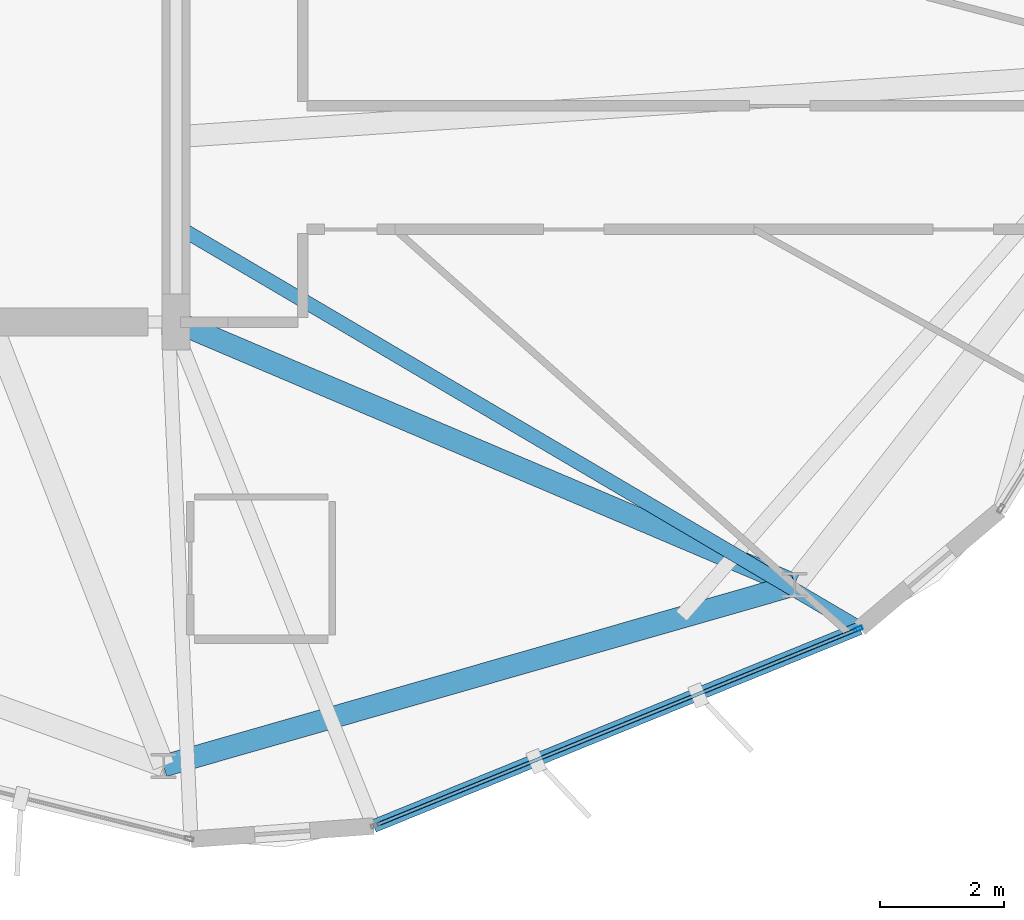
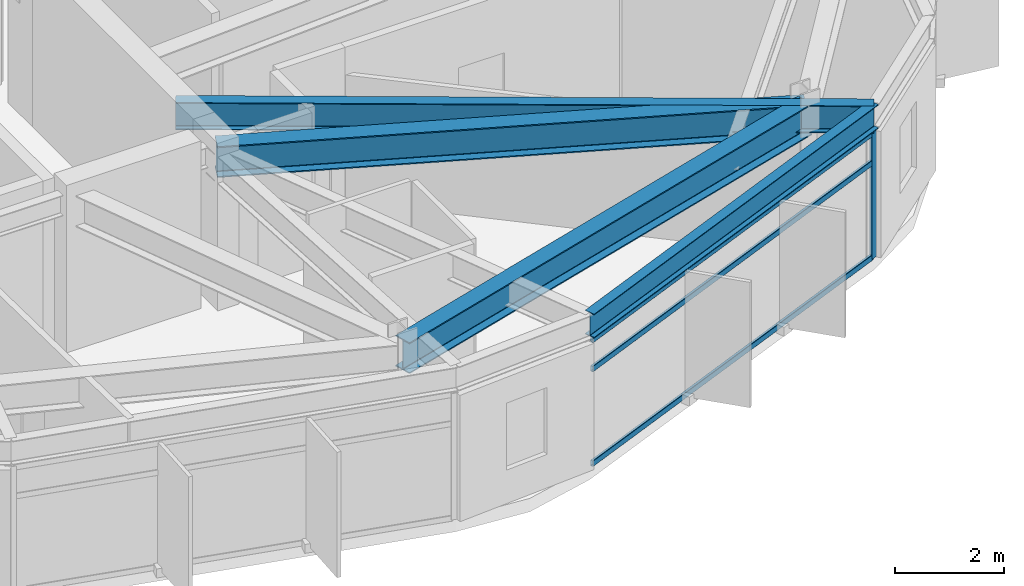
# One storey, part 6 of 26: 4 beams, 4 members, 1 element without a shape of its own.
"""IFC4 building model written with IfcOpenShell, lengths in metres."""

import ifcopenshell
import ifcopenshell.guid

model = None  # the IFC model being written
_history = None  # IfcOwnerHistory: only IFC2X3 demands one
_inside = {}  # id of a spatial element -> (the spatial element, [elements in it])
_under = {}  # id of a project, library or spatial element -> (it, [spatial elements below it])
_declared = {}  # id of a project -> (the project, [libraries it declares])
_typed = {}  # id of a type object -> (the type object, [elements of that type])
_made_of = {}  # id of a material, layer set ... -> (it, [elements and type objects made of it])


def new_model(schema):
    """Start an empty IFC model of exactly this schema.

    Asked for "IFC4X3", IfcOpenShell would pick the latest addendum, in which some entities
    have other attributes; the version numbers below select the first issue.
    IFC2X3 requires an IfcOwnerHistory on every rooted entity: one is made here for all.
    """
    global model, _history
    if schema == "IFC4X3":
        model = ifcopenshell.file(schema_version=(4, 3, 0, 0))
    else:
        model = ifcopenshell.file(schema=schema)
    _inside.clear()
    _under.clear()
    _declared.clear()
    _typed.clear()
    _made_of.clear()
    _history = None
    if model.schema == "IFC2X3":
        org = make("IfcOrganization", Name="unknown")
        user = make(
            "IfcPersonAndOrganization",
            ThePerson=make("IfcPerson", FamilyName="unknown"),
            TheOrganization=org,
        )
        app = make(
            "IfcApplication",
            ApplicationDeveloper=org,
            Version="unknown",
            ApplicationFullName="unknown",
            ApplicationIdentifier="unknown",
        )
        _history = make(
            "IfcOwnerHistory",
            OwningUser=user,
            OwningApplication=app,
            ChangeAction="ADDED",
            CreationDate=0,
        )
    return model


def make(cls, **values):
    """One entity of the class cls with the attributes given. An attribute that is None is left unset."""
    return model.create_entity(
        cls, **{name: value for name, value in values.items() if value is not None}
    )


def rooted(cls, **values):
    """An entity with a GlobalId (a new one), such as an element, a storey or a relation."""
    return make(cls, GlobalId=ifcopenshell.guid.new(), OwnerHistory=_history, **values)


def si_unit(unit_type, name, prefix=None):
    """IfcSIUnit, for example si_unit("LENGTHUNIT", "METRE", prefix="MILLI")."""
    return make("IfcSIUnit", UnitType=unit_type, Prefix=prefix, Name=name)


def assignment(units):
    """IfcUnitAssignment: the units of a project."""
    return None if units is None else make("IfcUnitAssignment", Units=units)


def point(xyz):
    """IfcCartesianPoint."""
    return None if xyz is None else make("IfcCartesianPoint", Coordinates=xyz)


def direction(xyz):
    """IfcDirection."""
    return None if xyz is None else make("IfcDirection", DirectionRatios=xyz)


def frame(location, z_axis=None, x_axis=None):
    """IfcAxis2Placement3D, a coordinate frame: its origin and axes. An axis left out is left unset."""
    return make(
        "IfcAxis2Placement3D",
        Location=point(location),
        Axis=direction(z_axis),
        RefDirection=direction(x_axis),
    )


def frame_2d(location, x_axis=None):
    """IfcAxis2Placement2D, a coordinate frame in the plane: its origin and x axis."""
    return make(
        "IfcAxis2Placement2D", Location=point(location), RefDirection=direction(x_axis)
    )


def origin():
    """The frame at (0, 0, 0) with its axes left unset."""
    return frame((0.0, 0.0, 0.0))


def origin_2d():
    """The frame at (0, 0) in the plane with its x axis left unset."""
    return frame_2d((0.0, 0.0))


def place(relative_to, where):
    """IfcLocalPlacement: puts the frame where relative to a parent placement (None: the world)."""
    return make(
        "IfcLocalPlacement", PlacementRelTo=relative_to, RelativePlacement=where
    )


def context(
    kind, dimensions, precision=None, world=None, true_north=None, identifier=None
):
    """IfcGeometricRepresentationContext, for example the 3D "Model" context."""
    return make(
        "IfcGeometricRepresentationContext",
        ContextIdentifier=identifier,
        ContextType=kind,
        CoordinateSpaceDimension=dimensions,
        Precision=precision,
        WorldCoordinateSystem=world,
        TrueNorth=true_north,
    )


def subcontext(parent, identifier, kind, view, scale=None):
    """IfcGeometricRepresentationSubContext, for example "Body" below "Model"."""
    return make(
        "IfcGeometricRepresentationSubContext",
        ContextIdentifier=identifier,
        ContextType=kind,
        ParentContext=parent,
        TargetScale=scale,
        TargetView=view,
    )


def project(units=None, contexts=None):
    """IfcProject with its units and contexts."""
    return rooted(
        "IfcProject",
        Name="project",
        RepresentationContexts=contexts,
        UnitsInContext=assignment(units),
    )


def spatial(cls, under=None, at=None, **own):
    """A site, building, storey or space (cls), placed at a placement, below another one or the project."""
    s = rooted(cls, ObjectPlacement=at, **own)
    if under is not None:
        _under.setdefault(under.id(), (under, []))[1].append(s)
    return s


def profile(cls, at=None, kind="AREA", **sizes):
    """A parametric profile (cls). Its sizes go by their IFC names, for example OverallWidth=200.0."""
    return make(cls, ProfileType=kind, Position=at, **sizes)


def hollow_rectangle(**sizes):
    """IfcRectangleHollowProfileDef."""
    return profile("IfcRectangleHollowProfileDef", **sizes)


def i_section(**sizes):
    """IfcIShapeProfileDef."""
    return profile("IfcIShapeProfileDef", **sizes)


def extrude(swept, where, along, depth):
    """IfcExtrudedAreaSolid: the profile swept, set in the frame where, extruded along a direction by depth."""
    return make(
        "IfcExtrudedAreaSolid",
        SweptArea=swept,
        Position=where,
        ExtrudedDirection=direction(along),
        Depth=depth,
    )


def shape(context_of_items, identifier, shape_type, items):
    """IfcShapeRepresentation: the items that make up one representation, for example the "Body"."""
    return make(
        "IfcShapeRepresentation",
        ContextOfItems=context_of_items,
        RepresentationIdentifier=identifier,
        RepresentationType=shape_type,
        Items=items,
    )


def material(Name=None, Category=None):
    """IfcMaterial."""
    return make("IfcMaterial", Name=Name, Category=Category)


def layer(
    of_material, thickness, ventilated=None, Name=None, Category=None, Priority=None
):
    """IfcMaterialLayer: one layer of a wall or slab, of a material (None: an air gap)."""
    return make(
        "IfcMaterialLayer",
        Material=of_material,
        LayerThickness=thickness,
        IsVentilated=ventilated,
        Name=Name,
        Category=Category,
        Priority=Priority,
    )


def layer_set(layers, Name=None):
    """IfcMaterialLayerSet."""
    return make("IfcMaterialLayerSet", MaterialLayers=layers, LayerSetName=Name)


def material_profile(
    of_material, cross_section, Name=None, Category=None, Priority=None
):
    """IfcMaterialProfile: a cross section and its material."""
    return make(
        "IfcMaterialProfile",
        Name=Name,
        Material=of_material,
        Profile=cross_section,
        Priority=Priority,
        Category=Category,
    )


def profile_set(profiles, Name=None, composite=None):
    """IfcMaterialProfileSet."""
    return make(
        "IfcMaterialProfileSet",
        Name=Name,
        MaterialProfiles=profiles,
        CompositeProfile=composite,
    )


def made_of(thing, what):
    """Note that an element or type object is made of a material, layer set ...; save() writes the relation."""
    if what is not None:
        _made_of.setdefault(what.id(), (what, []))[1].append(thing)
    return thing


def type_object(cls, material=None, **own):
    """A type object (cls), such as IfcWallType, which elements share."""
    return made_of(rooted(cls, **own), material)


def element(
    cls,
    number,
    at=None,
    inside=None,
    cuts=None,
    type_object=None,
    material=None,
    context=None,
    identifier="Body",
    shape_type=None,
    held_by="IfcProductDefinitionShape",
    body=None,
    shapes=None,
    **own,
):
    """One element of the class cls, such as IfcWall. Its Tag is "e" and its number.

    at: its placement. inside: the storey or other place that contains it. cuts: it is an
    opening in that element (IfcRelVoidsElement). A single representation is given by context,
    identifier, shape_type and body (its items); several are given by shapes. held_by: the class
    of the entity that holds the representations. save() writes the other relations.
    """
    e = rooted(cls, Tag="e%d" % number, ObjectPlacement=at, **own)
    if body is not None:
        shapes = [shape(context, identifier, shape_type, body)]
    if shapes is not None:
        e.Representation = make(held_by, Representations=shapes)
    if inside is not None:
        _inside.setdefault(inside.id(), (inside, []))[1].append(e)
    if cuts is not None:
        rooted(
            "IfcRelVoidsElement", RelatingBuildingElement=cuts, RelatedOpeningElement=e
        )
    if type_object is not None:
        _typed.setdefault(type_object.id(), (type_object, []))[1].append(e)
    return made_of(e, material)


def aggregate(whole, parts):
    """IfcRelAggregates: a whole, such as a stair, and the parts it consists of."""
    return rooted("IfcRelAggregates", RelatingObject=whole, RelatedObjects=parts)


def save(model, path):
    """Write the relations noted so far, then the file.

    IfcRelAggregates (storeys below a building ...), IfcRelContainedInSpatialStructure (elements
    in a storey), IfcRelDefinesByType, IfcRelAssociatesMaterial and IfcRelDeclares: one each for
    every whole, place, type object, material and project.
    """
    for whole, parts in _under.values():
        aggregate(whole, parts)
    for where, things in _inside.values():
        rooted(
            "IfcRelContainedInSpatialStructure",
            RelatedElements=things,
            RelatingStructure=where,
        )
    for kind, things in _typed.values():
        rooted("IfcRelDefinesByType", RelatedObjects=things, RelatingType=kind)
    for what, things in _made_of.values():
        rooted("IfcRelAssociatesMaterial", RelatedObjects=things, RelatingMaterial=what)
    for by, libraries in _declared.values():
        rooted("IfcRelDeclares", RelatingContext=by, RelatedDefinitions=libraries)
    model.write(path)


model = new_model("IFC4")

# Units and contexts
model_context = context("Model", 3, precision=1e-05, world=origin(), true_north=direction((0.0, 1.0)))
body_context = subcontext(model_context, "Body", "Model", "MODEL_VIEW")
ifc_project = project(units=[si_unit("LENGTHUNIT", "METRE"), si_unit("AREAUNIT", "SQUARE_METRE"), si_unit("VOLUMEUNIT", "CUBIC_METRE"), si_unit("PLANEANGLEUNIT", "RADIAN"), si_unit("MASSUNIT", "GRAM", prefix="KILO")], contexts=[model_context])

# Site, building, storey
site_placement = place(None, origin())
site = spatial("IfcSite", under=ifc_project, at=site_placement, CompositionType="ELEMENT")
building_placement = place(site_placement, origin())
building = spatial("IfcBuilding", under=site, at=building_placement, Name="Soratama Intermodal Tower", CompositionType="ELEMENT")
storey_placement = place(building_placement, frame((0.0, 0.0, 246.25)))
storey = spatial("IfcBuildingStorey", under=building, at=storey_placement, Name="L62", CompositionType="ELEMENT", Elevation=246.25)

# Beams
ifc_material_1 = material(Name="Structural steel ASTM A992 Grade 50", Category="steel")
ifc_material_profile_1 = material_profile(ifc_material_1, i_section(OverallWidth=0.35498046875, OverallDepth=0.695068359375, WebThickness=0.015380859375, FlangeThickness=0.02490234375, FilletRadius=0.01611328125, at=origin_2d()), Name="W27X146")
ifc_profile_set_1 = profile_set([ifc_material_profile_1], Name="Structural steel ASTM A992 Grade 50")
beam_type_1 = type_object("IfcBeamType", Name="BM-RING-W27X146", PredefinedType="BEAM", material=ifc_profile_set_1)
beam_1_placement = place(storey_placement, frame((44.39990234375, 7.81103515625, 3.1025390625), z_axis=(0.961262636932, 0.27563407416, 0.0), x_axis=(-0.27563407416, 0.961262636932, 0.0)))
element("IfcBeam", 1, at=beam_1_placement, inside=storey, type_object=beam_type_1, Name="BM-L62-RING-08", PredefinedType="BEAM", context=body_context, shape_type="SweptSolid", body=[
    extrude(i_section(OverallWidth=0.35498046875, OverallDepth=0.695068359375, WebThickness=0.015380859375, FlangeThickness=0.02490234375, FilletRadius=0.01611328125, at=origin_2d()), origin(), (0.0, 0.0, 1.0), 10.6298828125),
])
beam_2_placement = place(storey_placement, frame((44.60009765625, 15.0, 3.1025390625), z_axis=(0.920282671955, -0.391254142087, 0.0), x_axis=(0.391254142087, 0.920282671955, 0.0)))
element("IfcBeam", 2, at=beam_2_placement, inside=storey, type_object=beam_type_1, Name="BM-L62-RAD-09", PredefinedType="BEAM", context=body_context, shape_type="SweptSolid", body=[
    extrude(i_section(OverallWidth=0.35498046875, OverallDepth=0.695068359375, WebThickness=0.015380859375, FlangeThickness=0.02490234375, FilletRadius=0.01611328125, at=origin_2d()), origin(), (0.0, 0.0, 1.0), 10.885498046875),
])
ifc_material_2 = material(Name="Structural steel ASTM A992 Grade 50", Category="steel")
ifc_material_profile_2 = material_profile(ifc_material_2, i_section(OverallWidth=0.2099609375, OverallDepth=0.537109375, WebThickness=0.010986328125, FlangeThickness=0.017333984375, FilletRadius=0.012939453125, at=origin_2d()), Name="W21X68")
ifc_profile_set_2 = profile_set([ifc_material_profile_2], Name="Structural steel ASTM A992 Grade 50")
beam_type_2 = type_object("IfcBeamType", Name="BM-SPN-W21X68", PredefinedType="SPANDREL", material=ifc_profile_set_2)
beam_3_placement = place(storey_placement, frame((47.802001953125, 6.8369140625, 3.181396484375), z_axis=(0.926273649739, 0.37685159652, 0.0), x_axis=(-0.37685159652, 0.926273649739, 0.0)))
element("IfcBeam", 3, at=beam_3_placement, inside=storey, type_object=beam_type_2, Name="BS-L62-F07", PredefinedType="SPANDREL", context=body_context, shape_type="SweptSolid", body=[
    extrude(i_section(OverallWidth=0.2099609375, OverallDepth=0.537109375, WebThickness=0.010986328125, FlangeThickness=0.017333984375, FilletRadius=0.012939453125, at=origin_2d()), origin(), (0.0, 0.0, 1.0), 8.499755859375),
])
ifc_material_3 = material(Name="Structural steel ASTM A992 Grade 50", Category="steel")
ifc_material_profile_3 = material_profile(ifc_material_3, i_section(OverallWidth=0.22900390625, OverallDepth=0.612060546875, WebThickness=0.011962890625, FlangeThickness=0.01953125, FilletRadius=0.012939453125, at=origin_2d()), Name="W24X84")
ifc_profile_set_3 = profile_set([ifc_material_profile_3], Name="Structural steel ASTM A992 Grade 50")
beam_type_3 = type_object("IfcBeamType", Name="BM-TIE-W24X84", PredefinedType="BEAM", material=ifc_profile_set_3)
beam_4_placement = place(storey_placement, frame((44.634033203125, 16.541015625, 3.14404296875), z_axis=(0.86172057158, -0.507383145676, 0.0), x_axis=(0.507383145676, 0.86172057158, 0.0)))
element("IfcBeam", 4, at=beam_4_placement, inside=storey, type_object=beam_type_3, Name="BM-L62-TIE1-07", PredefinedType="BEAM", context=body_context, shape_type="SweptSolid", body=[
    extrude(i_section(OverallWidth=0.22900390625, OverallDepth=0.612060546875, WebThickness=0.011962890625, FlangeThickness=0.01953125, FilletRadius=0.012939453125, at=origin_2d()), origin(), (0.0, 0.0, 1.0), 12.812744140625),
])

# Curtain wall, members
ifc_material_4 = material(Name="Double-glazed aluminium curtain wall", Category="aluminium")
ifc_layer = layer(ifc_material_4, 0.159912109375)
ifc_layer_set = layer_set([ifc_layer], Name="Double-glazed aluminium curtain wall")
curtain_wall_type = type_object("IfcCurtainWallType", Name="CW-SYS-5", PredefinedType="NOTDEFINED", material=ifc_layer_set)
curtain_wall_placement = place(storey_placement, origin())
curtain_wall = element("IfcCurtainWall", 5, at=curtain_wall_placement, inside=storey, type_object=curtain_wall_type, Name="L62 Faceted Curtain Wall F07", PredefinedType="NOTDEFINED")
ifc_material_5 = material(Name="Anodised aluminium AA 6063-T6", Category="aluminium")
ifc_material_profile_4 = material_profile(ifc_material_5, hollow_rectangle(XDim=0.06494140625, YDim=0.139892578125, WallThickness=0.0048828125, InnerFilletRadius=0.0048828125, OuterFilletRadius=0.010009765625, at=origin_2d()), Name="CWM140X65X5")
ifc_profile_set_4 = profile_set([ifc_material_profile_4], Name="Anodised aluminium AA 6063-T6")
member_type_1 = type_object("IfcMemberType", Name="MT-CWM-5", PredefinedType="MULLION", material=ifc_profile_set_4)
member_1_placement = place(storey_placement, frame((55.647216796875, 10.02880859375, 0.0), z_axis=(0.0, 0.0, 1.0), x_axis=(-0.376881280442, 0.926261572372, 0.0)))
member_1 = element("IfcMember", 6, at=member_1_placement, type_object=member_type_1, Name="CW-5 mullion 2", PredefinedType="MULLION", context=body_context, shape_type="SweptSolid", body=[
    extrude(hollow_rectangle(XDim=0.06494140625, YDim=0.139892578125, WallThickness=0.0048828125, InnerFilletRadius=0.0048828125, OuterFilletRadius=0.010009765625, at=origin_2d()), origin(), (0.0, 0.0, 1.0), 2.8291015625),
])
ifc_material_6 = material(Name="Anodised aluminium AA 6063-T6", Category="aluminium")
ifc_material_profile_5 = material_profile(ifc_material_6, hollow_rectangle(XDim=0.06005859375, YDim=0.1298828125, WallThickness=0.0048828125, InnerFilletRadius=0.0048828125, OuterFilletRadius=0.010009765625, at=origin_2d()), Name="CWT130X60X5")
ifc_profile_set_5 = profile_set([ifc_material_profile_5], Name="Anodised aluminium AA 6063-T6")
member_type_2 = type_object("IfcMemberType", Name="TT-CWT-2", PredefinedType="USERDEFINED", material=ifc_profile_set_5)
member_2_placement = place(storey_placement, frame((47.857421875, 6.859375, 0.030029296875), z_axis=(0.926262306379, 0.376879476467, 0.0), x_axis=(-0.376879476467, 0.926262306379, 0.0)))
member_2 = element("IfcMember", 7, at=member_2_placement, type_object=member_type_2, Name="CW-5 transom 1.1", ObjectType="TRANSOM", PredefinedType="USERDEFINED", context=body_context, shape_type="SweptSolid", body=[
    extrude(hollow_rectangle(XDim=0.06005859375, YDim=0.1298828125, WallThickness=0.0048828125, InnerFilletRadius=0.0048828125, OuterFilletRadius=0.010009765625, at=origin_2d()), origin(), (0.0, 0.0, 1.0), 8.3798828125),
])
member_3_placement = place(storey_placement, frame((47.857421875, 6.859375, 2.14990234375), z_axis=(0.926262306379, 0.376879476467, 0.0), x_axis=(-0.376879476467, 0.926262306379, 0.0)))
member_3 = element("IfcMember", 8, at=member_3_placement, type_object=member_type_2, Name="CW-5 transom 1.2", ObjectType="TRANSOM", PredefinedType="USERDEFINED", context=body_context, shape_type="SweptSolid", body=[
    extrude(hollow_rectangle(XDim=0.06005859375, YDim=0.1298828125, WallThickness=0.0048828125, InnerFilletRadius=0.0048828125, OuterFilletRadius=0.010009765625, at=origin_2d()), origin(), (0.0, 0.0, 1.0), 8.3798828125),
])
member_4_placement = place(storey_placement, frame((47.857421875, 6.859375, 2.799072265625), z_axis=(0.926262306379, 0.376879476467, 0.0), x_axis=(-0.376879476467, 0.926262306379, 0.0)))
member_4 = element("IfcMember", 9, at=member_4_placement, type_object=member_type_2, Name="CW-5 transom 1.3", ObjectType="TRANSOM", PredefinedType="USERDEFINED", context=body_context, shape_type="SweptSolid", body=[
    extrude(hollow_rectangle(XDim=0.06005859375, YDim=0.1298828125, WallThickness=0.0048828125, InnerFilletRadius=0.0048828125, OuterFilletRadius=0.010009765625, at=origin_2d()), origin(), (0.0, 0.0, 1.0), 8.3798828125),
])
aggregate(curtain_wall, [member_1, member_2, member_3, member_4])

save(model, "model.ifc")
